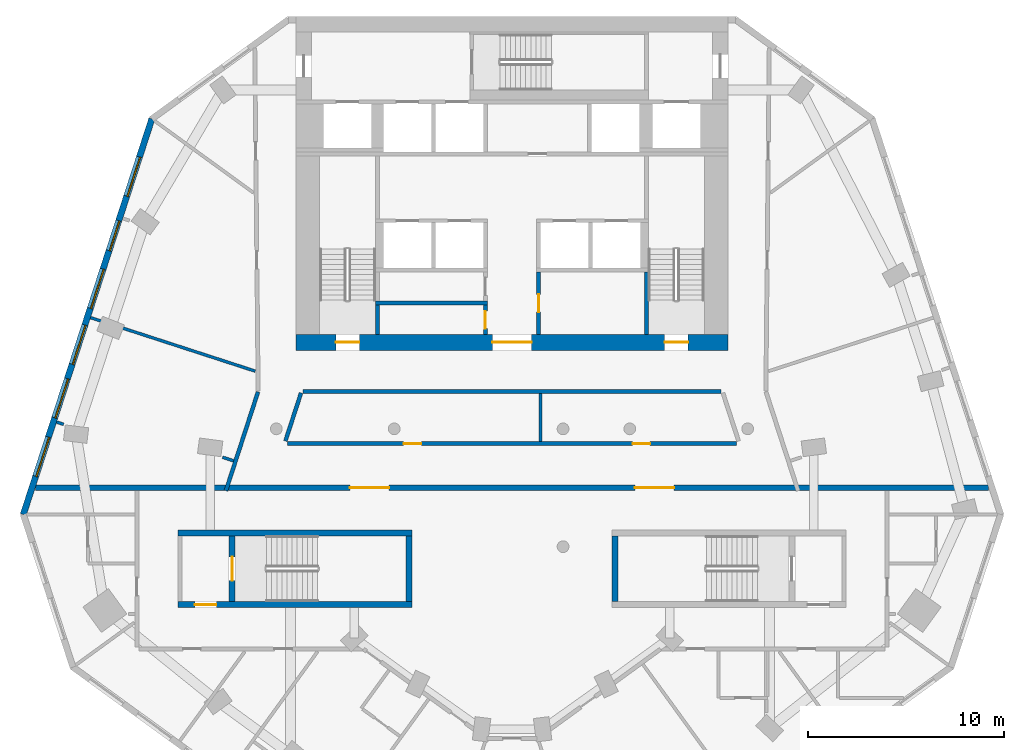
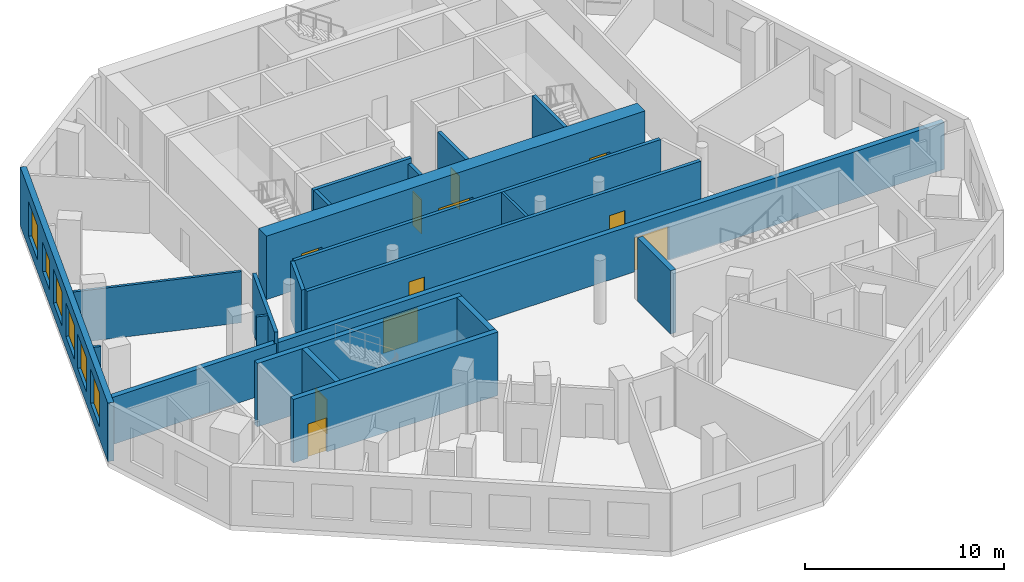
# One storey, part 3 of 9: 21 walls, 11 doors, 6 windows, 17 openings.
"""IFC4 building model written with IfcOpenShell, lengths in metres."""

from ifc_helpers import new_model, si_unit, direction, frame, frame_2d, origin, place, context, subcontext, project, spatial, rectangle, extrude, material, layer, layer_set, type_object, element, fill, save


model = new_model("IFC4")

# Units and contexts
model_context = context("Model", 3, precision=1e-05, world=origin(), true_north=direction((0.0, 1.0)))
body_context = subcontext(model_context, "Body", "Model", "MODEL_VIEW")
ifc_project = project(units=[si_unit("LENGTHUNIT", "METRE"), si_unit("AREAUNIT", "SQUARE_METRE"), si_unit("VOLUMEUNIT", "CUBIC_METRE"), si_unit("PLANEANGLEUNIT", "RADIAN"), si_unit("MASSUNIT", "GRAM", prefix="KILO")], contexts=[model_context])

# Site, building, storey
site_placement = place(None, origin())
site = spatial("IfcSite", under=ifc_project, at=site_placement, CompositionType="ELEMENT")
building_placement = place(site_placement, origin())
building = spatial("IfcBuilding", under=site, at=building_placement, Name="White Candle Pilgrim Tower", CompositionType="ELEMENT")
storey_placement = place(building_placement, frame((0.0, 0.0, 200.39990234375)))
storey = spatial("IfcBuildingStorey", under=building, at=storey_placement, Name="L46", CompositionType="ELEMENT", Elevation=200.39990234375)

# Wall
ifc_material_1 = material(Name="Gypsum board on steel studs", Category="steel")
ifc_layer_1 = layer(ifc_material_1, 0.199951171875)
ifc_layer_set_1 = layer_set([ifc_layer_1], Name="Corridor wall 200 mm EI 45")
wall_type_1 = type_object("IfcWallType", Name="Corridor wall 200 mm EI 45", PredefinedType="PARTITIONING", material=ifc_layer_set_1)
wall_1_placement = place(storey_placement, frame((55.43115234375, 63.85009765625, 0.0), z_axis=(0.0, 0.0, 1.0), x_axis=(0.309009941901, 0.951058807754, 0.0)))
element("IfcWall", 1, at=wall_1_placement, inside=storey, type_object=wall_type_1, Name="WL-L46-P002", PredefinedType="PARTITIONING", context=body_context, shape_type="SweptSolid", body=[
    extrude(rectangle(XDim=5.29345703125, YDim=0.199951171875, at=frame_2d((2.646728515625, 0.0))), origin(), (0.0, 0.0, 1.0), 3.60009765625),
])

# Wall, openings, doors
wall_2_placement = place(storey_placement, frame((58.556640625, 66.25, 0.0), z_axis=(0.0, 0.0, 1.0), x_axis=(1.0, 0.0, 0.0)))
wall_2 = element("IfcWall", 2, at=wall_2_placement, inside=storey, type_object=wall_type_1, Name="WL-L46-P013", PredefinedType="PARTITIONING", context=body_context, shape_type="SweptSolid", body=[
    extrude(rectangle(XDim=22.88671875, YDim=0.199951171875, at=frame_2d((11.443359375, 0.0))), origin(), (0.0, 0.0, 1.0), 3.60009765625),
])
opening_1_placement = place(wall_2_placement, frame((5.927001953125, 0.0, 0.0)))
opening_1 = element("IfcOpeningElement", 3, at=opening_1_placement, cuts=wall_2, Name="Opening T14-117", PredefinedType="OPENING", context=body_context, shape_type="SweptSolid", body=[
    extrude(rectangle(XDim=0.89990234375, YDim=2.10009765625, at=frame_2d((0.449951171875, 1.050048828125))), frame((0.0, 0.10986328125, 0.0), z_axis=(0.0, -1.0, 0.0), x_axis=(1.0, 0.0, 0.0)), (0.0, 0.0, 1.0), 0.219970703125),
])
opening_2_placement = place(wall_2_placement, frame((17.5830078125, 0.0, 0.0)))
opening_2 = element("IfcOpeningElement", 4, at=opening_2_placement, cuts=wall_2, Name="Opening T14-118", PredefinedType="OPENING", context=body_context, shape_type="SweptSolid", body=[
    extrude(rectangle(XDim=0.89990234375, YDim=2.10009765625, at=frame_2d((0.449951171875, 1.050048828125))), frame((0.0, 0.10986328125, 0.0), z_axis=(0.0, -1.0, 0.0), x_axis=(1.0, 0.0, 0.0)), (0.0, 0.0, 1.0), 0.219970703125),
])
ifc_material_2 = material(Name="Steel door leaf", Category="steel")
door_type_1 = type_object("IfcDoorType", Name="Fire door 900 x 2100 EI 30", OperationType="NOTDEFINED", PredefinedType="DOOR", material=ifc_material_2)
door_1_placement = place(opening_1_placement, origin())
door_1 = element("IfcDoor", 5, at=door_1_placement, inside=storey, type_object=door_type_1, Name="Door T14-117", OperationType="SINGLE_SWING_LEFT", OverallHeight=2.10009765625, OverallWidth=0.89990234375, PredefinedType="DOOR", context=body_context, shape_type="SweptSolid", body=[
    extrude(rectangle(XDim=0.89990234375, YDim=2.10009765625, at=frame_2d((0.449951171875, 1.050048828125))), frame((0.0, 0.02490234375, 0.0), z_axis=(0.0, -1.0, 0.0), x_axis=(1.0, 0.0, 0.0)), (0.0, 0.0, 1.0), 0.050048828125),
])
fill(opening_1, door_1)
door_2_placement = place(opening_2_placement, origin())
door_2 = element("IfcDoor", 6, at=door_2_placement, inside=storey, type_object=door_type_1, Name="Door T14-118", OperationType="SINGLE_SWING_RIGHT", OverallHeight=2.10009765625, OverallWidth=0.89990234375, PredefinedType="DOOR", context=body_context, shape_type="SweptSolid", body=[
    extrude(rectangle(XDim=0.89990234375, YDim=2.10009765625, at=frame_2d((0.449951171875, 1.050048828125))), frame((0.0, 0.02490234375, 0.0), z_axis=(0.0, -1.0, 0.0), x_axis=(1.0, 0.0, 0.0)), (0.0, 0.0, 1.0), 0.050048828125),
])
fill(opening_2, door_2)

# Walls
wall_3_placement = place(storey_placement, frame((80.647216796875, 68.89990234375, 0.0), z_axis=(0.0, 0.0, 1.0), x_axis=(-1.0, 0.0, 0.0)))
element("IfcWall", 7, at=wall_3_placement, inside=storey, type_object=wall_type_1, Name="WL-L46-P015", PredefinedType="PARTITIONING", context=body_context, shape_type="SweptSolid", body=[
    extrude(rectangle(XDim=21.29443359375, YDim=0.199951171875, at=frame_2d((10.647216796875, 0.0))), origin(), (0.0, 0.0, 1.0), 3.60009765625),
])
wall_4_placement = place(storey_placement, frame((59.2578125, 68.830810546875, 0.0), z_axis=(0.0, 0.0, 1.0), x_axis=(-0.309053927645, -0.951044515155, 0.0)))
element("IfcWall", 8, at=wall_4_placement, inside=storey, type_object=wall_type_1, Name="WL-L46-P016", PredefinedType="PARTITIONING", context=body_context, shape_type="SweptSolid", body=[
    extrude(rectangle(XDim=2.576171875, YDim=0.199951171875, at=frame_2d((1.2880859375, 0.0))), origin(), (0.0, 0.0, 1.0), 3.60009765625),
])

# Wall, openings, windows
ifc_material_3 = material(Name="Precast concrete C40/50", Category="concrete")
ifc_layer_2 = layer(ifc_material_3, 0.320068359375)
ifc_layer_set_2 = layer_set([ifc_layer_2], Name="Facade wall EW1 precast concrete C40/50 pier wall with timber-lined reveals")
wall_type_2 = type_object("IfcWallType", Name="Facade wall EW1 precast concrete C40/50 pier wall with timber-lined reveals", PredefinedType="SOLIDWALL", material=ifc_layer_set_2)
wall_5_placement = place(storey_placement, frame((51.657958984375, 82.785400390625, 0.0), z_axis=(0.0, 0.0, 1.0), x_axis=(-0.309019087741, -0.951055836117, 0.0)))
wall_5 = element("IfcWall", 9, at=wall_5_placement, inside=storey, type_object=wall_type_2, Name="Facade wall L46 WNW", PredefinedType="SOLIDWALL", context=body_context, shape_type="SweptSolid", body=[
    extrude(rectangle(XDim=21.180419921875, YDim=0.320068359375, at=frame_2d((10.59033203125, 0.0))), origin(), (0.0, 0.0, 1.0), 3.60009765625),
])
opening_3_placement = place(wall_5_placement, frame((2.040283203125, 0.0, 0.75)))
opening_3 = element("IfcOpeningElement", 10, at=opening_3_placement, cuts=wall_5, Name="Opening W3", PredefinedType="OPENING", context=body_context, shape_type="SweptSolid", body=[
    extrude(rectangle(XDim=2.10009765625, YDim=2.10009765625, at=frame_2d((1.050048828125, 1.050048828125))), frame((0.0, 0.169921875, 0.0), z_axis=(0.0, -1.0, 0.0), x_axis=(1.0, 0.0, 0.0)), (0.0, 0.0, 1.0), 0.340087890625),
])
opening_4_placement = place(wall_5_placement, frame((5.452880859375, 0.0, 0.89990234375)))
opening_4 = element("IfcOpeningElement", 11, at=opening_4_placement, cuts=wall_5, Name="Opening W2", PredefinedType="OPENING", context=body_context, shape_type="SweptSolid", body=[
    extrude(rectangle(XDim=1.60009765625, YDim=1.800048828125, at=frame_2d((0.800048828125, 0.89990234375))), frame((0.0, 0.169921875, 0.0), z_axis=(0.0, -1.0, 0.0), x_axis=(1.0, 0.0, 0.0)), (0.0, 0.0, 1.0), 0.340087890625),
])
opening_5_placement = place(wall_5_placement, frame((8.040283203125, 0.0, 0.75)))
opening_5 = element("IfcOpeningElement", 12, at=opening_5_placement, cuts=wall_5, Name="Opening W3", PredefinedType="OPENING", context=body_context, shape_type="SweptSolid", body=[
    extrude(rectangle(XDim=2.10009765625, YDim=2.10009765625, at=frame_2d((1.050048828125, 1.050048828125))), frame((0.0, 0.169921875, 0.0), z_axis=(0.0, -1.0, 0.0), x_axis=(1.0, 0.0, 0.0)), (0.0, 0.0, 1.0), 0.340087890625),
])
opening_6_placement = place(wall_5_placement, frame((11.040283203125, 0.0, 0.75)))
opening_6 = element("IfcOpeningElement", 13, at=opening_6_placement, cuts=wall_5, Name="Opening W3", PredefinedType="OPENING", context=body_context, shape_type="SweptSolid", body=[
    extrude(rectangle(XDim=2.10009765625, YDim=2.10009765625, at=frame_2d((1.050048828125, 1.050048828125))), frame((0.0, 0.169921875, 0.0), z_axis=(0.0, -1.0, 0.0), x_axis=(1.0, 0.0, 0.0)), (0.0, 0.0, 1.0), 0.340087890625),
])
opening_7_placement = place(wall_5_placement, frame((13.908203125, 0.0, 0.75)))
opening_7 = element("IfcOpeningElement", 14, at=opening_7_placement, cuts=wall_5, Name="Opening W3", PredefinedType="OPENING", context=body_context, shape_type="SweptSolid", body=[
    extrude(rectangle(XDim=2.10009765625, YDim=2.10009765625, at=frame_2d((1.050048828125, 1.050048828125))), frame((0.0, 0.169921875, 0.0), z_axis=(0.0, -1.0, 0.0), x_axis=(1.0, 0.0, 0.0)), (0.0, 0.0, 1.0), 0.340087890625),
])
opening_8_placement = place(wall_5_placement, frame((17.040283203125, 0.0, 0.75)))
opening_8 = element("IfcOpeningElement", 15, at=opening_8_placement, cuts=wall_5, Name="Opening W3", PredefinedType="OPENING", context=body_context, shape_type="SweptSolid", body=[
    extrude(rectangle(XDim=2.10009765625, YDim=2.10009765625, at=frame_2d((1.050048828125, 1.050048828125))), frame((0.0, 0.169921875, 0.0), z_axis=(0.0, -1.0, 0.0), x_axis=(1.0, 0.0, 0.0)), (0.0, 0.0, 1.0), 0.340087890625),
])
ifc_material_4 = material(Name="Timber frame with triple glazing", Category="wood")
window_type_1 = type_object("IfcWindowType", Name="Window W2 1600x1800 timber frame triple glazing", PartitioningType="SINGLE_PANEL", PredefinedType="WINDOW", material=ifc_material_4)
window_1_placement = place(opening_4_placement, origin())
window_1 = element("IfcWindow", 16, at=window_1_placement, inside=storey, type_object=window_type_1, Name="Window W2 L46 WNW 2", OverallHeight=1.800048828125, OverallWidth=1.60009765625, PartitioningType="SINGLE_PANEL", PredefinedType="WINDOW", context=body_context, shape_type="SweptSolid", body=[
    extrude(rectangle(XDim=1.60009765625, YDim=1.800048828125, at=frame_2d((0.800048828125, 0.89990234375))), frame((0.0, 0.070068359375, 0.0), z_axis=(0.0, -1.0, 0.0), x_axis=(1.0, 0.0, 0.0)), (0.0, 0.0, 1.0), 0.06005859375),
])
fill(opening_4, window_1)
window_type_2 = type_object("IfcWindowType", Name="Window W3 2100x2100 timber frame triple glazing", PartitioningType="SINGLE_PANEL", PredefinedType="WINDOW", material=ifc_material_4)
window_2_placement = place(opening_3_placement, origin())
window_2 = element("IfcWindow", 17, at=window_2_placement, inside=storey, type_object=window_type_2, Name="Window W3 L46 WNW 1", OverallHeight=2.10009765625, OverallWidth=2.10009765625, PartitioningType="SINGLE_PANEL", PredefinedType="WINDOW", context=body_context, shape_type="SweptSolid", body=[
    extrude(rectangle(XDim=2.10009765625, YDim=2.10009765625, at=frame_2d((1.050048828125, 1.050048828125))), frame((0.0, 0.070068359375, 0.0), z_axis=(0.0, -1.0, 0.0), x_axis=(1.0, 0.0, 0.0)), (0.0, 0.0, 1.0), 0.06005859375),
])
fill(opening_3, window_2)
window_3_placement = place(opening_5_placement, origin())
window_3 = element("IfcWindow", 18, at=window_3_placement, inside=storey, type_object=window_type_2, Name="Window W3 L46 WNW 3", OverallHeight=2.10009765625, OverallWidth=2.10009765625, PartitioningType="SINGLE_PANEL", PredefinedType="WINDOW", context=body_context, shape_type="SweptSolid", body=[
    extrude(rectangle(XDim=2.10009765625, YDim=2.10009765625, at=frame_2d((1.050048828125, 1.050048828125))), frame((0.0, 0.070068359375, 0.0), z_axis=(0.0, -1.0, 0.0), x_axis=(1.0, 0.0, 0.0)), (0.0, 0.0, 1.0), 0.06005859375),
])
fill(opening_5, window_3)
window_4_placement = place(opening_6_placement, origin())
window_4 = element("IfcWindow", 19, at=window_4_placement, inside=storey, type_object=window_type_2, Name="Window W3 L46 WNW 4", OverallHeight=2.10009765625, OverallWidth=2.10009765625, PartitioningType="SINGLE_PANEL", PredefinedType="WINDOW", context=body_context, shape_type="SweptSolid", body=[
    extrude(rectangle(XDim=2.10009765625, YDim=2.10009765625, at=frame_2d((1.050048828125, 1.050048828125))), frame((0.0, 0.070068359375, 0.0), z_axis=(0.0, -1.0, 0.0), x_axis=(1.0, 0.0, 0.0)), (0.0, 0.0, 1.0), 0.06005859375),
])
fill(opening_6, window_4)
window_5_placement = place(opening_7_placement, origin())
window_5 = element("IfcWindow", 20, at=window_5_placement, inside=storey, type_object=window_type_2, Name="Window W3 L46 WNW 5", OverallHeight=2.10009765625, OverallWidth=2.10009765625, PartitioningType="SINGLE_PANEL", PredefinedType="WINDOW", context=body_context, shape_type="SweptSolid", body=[
    extrude(rectangle(XDim=2.10009765625, YDim=2.10009765625, at=frame_2d((1.050048828125, 1.050048828125))), frame((0.0, 0.070068359375, 0.0), z_axis=(0.0, -1.0, 0.0), x_axis=(1.0, 0.0, 0.0)), (0.0, 0.0, 1.0), 0.06005859375),
])
fill(opening_7, window_5)
window_6_placement = place(opening_8_placement, origin())
window_6 = element("IfcWindow", 21, at=window_6_placement, inside=storey, type_object=window_type_2, Name="Window W3 L46 WNW 6", OverallHeight=2.10009765625, OverallWidth=2.10009765625, PartitioningType="SINGLE_PANEL", PredefinedType="WINDOW", context=body_context, shape_type="SweptSolid", body=[
    extrude(rectangle(XDim=2.10009765625, YDim=2.10009765625, at=frame_2d((1.050048828125, 1.050048828125))), frame((0.0, 0.070068359375, 0.0), z_axis=(0.0, -1.0, 0.0), x_axis=(1.0, 0.0, 0.0)), (0.0, 0.0, 1.0), 0.06005859375),
])
fill(opening_8, window_6)

# Wall, openings, doors
ifc_material_5 = material(Name="Aerated concrete block", Category="concrete")
ifc_layer_3 = layer(ifc_material_5, 0.300048828125)
ifc_layer_set_3 = layer_set([ifc_layer_3], Name="Fire wall 300 mm REI 240")
wall_type_3 = type_object("IfcWallType", Name="Fire wall 300 mm REI 240", PredefinedType="PARTITIONING", material=ifc_layer_set_3)
wall_6_placement = place(storey_placement, frame((45.722412109375, 64.0, 0.0), z_axis=(0.0, 0.0, 1.0), x_axis=(1.0, 0.0, 0.0)))
wall_6 = element("IfcWall", 22, at=wall_6_placement, inside=storey, type_object=wall_type_3, Name="WL-L46-P001", PredefinedType="PARTITIONING", context=body_context, shape_type="SweptSolid", body=[
    extrude(rectangle(XDim=48.55517578125, YDim=0.300048828125, at=frame_2d((24.277587890625, 0.0))), origin(), (0.0, 0.0, 1.0), 2.900146484375),
])
opening_9_placement = place(wall_6_placement, frame((16.017578125, 0.0, 0.0)))
opening_9 = element("IfcOpeningElement", 23, at=opening_9_placement, cuts=wall_6, Name="Opening T14-115", PredefinedType="OPENING", context=body_context, shape_type="SweptSolid", body=[
    extrude(rectangle(XDim=2.0, YDim=2.10009765625, at=frame_2d((1.0, 1.050048828125))), frame((0.0, 0.159912109375, 0.0), z_axis=(0.0, -1.0, 0.0), x_axis=(1.0, 0.0, 0.0)), (0.0, 0.0, 1.0), 0.320068359375),
])
opening_10_placement = place(wall_6_placement, frame((30.53759765625, 0.0, 0.0)))
opening_10 = element("IfcOpeningElement", 24, at=opening_10_placement, cuts=wall_6, Name="Opening T14-116", PredefinedType="OPENING", context=body_context, shape_type="SweptSolid", body=[
    extrude(rectangle(XDim=2.0, YDim=2.10009765625, at=frame_2d((1.0, 1.050048828125))), frame((0.0, 0.159912109375, 0.0), z_axis=(0.0, -1.0, 0.0), x_axis=(1.0, 0.0, 0.0)), (0.0, 0.0, 1.0), 0.320068359375),
])
door_type_2 = type_object("IfcDoorType", Name="Fire door 2000 x 2100 EI 60", OperationType="NOTDEFINED", PredefinedType="DOOR", material=ifc_material_2)
door_3_placement = place(opening_9_placement, origin())
door_3 = element("IfcDoor", 25, at=door_3_placement, inside=storey, type_object=door_type_2, Name="Door T14-115", OperationType="DOUBLE_DOOR_SINGLE_SWING", OverallHeight=2.10009765625, OverallWidth=2.0, PredefinedType="DOOR", context=body_context, shape_type="SweptSolid", body=[
    extrude(rectangle(XDim=2.0, YDim=2.10009765625, at=frame_2d((1.0, 1.050048828125))), frame((0.0, 0.02490234375, 0.0), z_axis=(0.0, -1.0, 0.0), x_axis=(1.0, 0.0, 0.0)), (0.0, 0.0, 1.0), 0.050048828125),
])
fill(opening_9, door_3)
door_4_placement = place(opening_10_placement, origin())
door_4 = element("IfcDoor", 26, at=door_4_placement, inside=storey, type_object=door_type_2, Name="Door T14-116", OperationType="DOUBLE_DOOR_SINGLE_SWING", OverallHeight=2.10009765625, OverallWidth=2.0, PredefinedType="DOOR", context=body_context, shape_type="SweptSolid", body=[
    extrude(rectangle(XDim=2.0, YDim=2.10009765625, at=frame_2d((1.0, 1.050048828125))), frame((0.0, 0.02490234375, 0.0), z_axis=(0.0, -1.0, 0.0), x_axis=(1.0, 0.0, 0.0)), (0.0, 0.0, 1.0), 0.050048828125),
])
fill(opening_10, door_4)

# Wall, opening, door
ifc_layer_4 = layer(ifc_material_1, 0.199951171875)
ifc_layer_set_4 = layer_set([ifc_layer_4], Name="Lobby wall 200 mm EI 60")
wall_type_4 = type_object("IfcWallType", Name="Lobby wall 200 mm EI 60", PredefinedType="PARTITIONING", material=ifc_layer_set_4)
wall_7_placement = place(storey_placement, frame((68.64990234375, 71.800048828125, 0.0), z_axis=(0.0, 0.0, 1.0), x_axis=(0.0, 1.0, 0.0)))
wall_7 = element("IfcWall", 27, at=wall_7_placement, inside=storey, type_object=wall_type_4, Name="WL-L46-C14", PredefinedType="PARTITIONING", context=body_context, shape_type="SweptSolid", body=[
    extrude(rectangle(XDim=1.5, YDim=0.199951171875, at=frame_2d((0.75, 0.0))), origin(), (0.0, 0.0, 1.0), 3.60009765625),
])
opening_11_placement = place(wall_7_placement, frame((0.300048828125, 0.0, 0.0)))
opening_11 = element("IfcOpeningElement", 28, at=opening_11_placement, cuts=wall_7, Name="Opening T14-005", PredefinedType="OPENING", context=body_context, shape_type="SweptSolid", body=[
    extrude(rectangle(XDim=0.89990234375, YDim=2.10009765625, at=frame_2d((0.449951171875, 1.050048828125))), frame((0.0, 0.10986328125, 0.0), z_axis=(0.0, -1.0, 0.0), x_axis=(1.0, 0.0, 0.0)), (0.0, 0.0, 1.0), 0.219970703125),
])
door_5_placement = place(opening_11_placement, origin())
door_5 = element("IfcDoor", 29, at=door_5_placement, inside=storey, type_object=door_type_1, Name="Door T14-005", OperationType="SINGLE_SWING_LEFT", OverallHeight=2.10009765625, OverallWidth=0.89990234375, PredefinedType="DOOR", context=body_context, shape_type="SweptSolid", body=[
    extrude(rectangle(XDim=0.89990234375, YDim=2.10009765625, at=frame_2d((0.449951171875, 1.050048828125))), frame((0.0, 0.02490234375, 0.0), z_axis=(0.0, -1.0, 0.0), x_axis=(1.0, 0.0, 0.0)), (0.0, 0.0, 1.0), 0.050048828125),
])
fill(opening_11, door_5)

wall_8_placement = place(storey_placement, frame((71.35009765625, 71.800048828125, 0.0), z_axis=(0.0, 0.0, 1.0), x_axis=(0.0, 1.0, 0.0)))
wall_8 = element("IfcWall", 30, at=wall_8_placement, inside=storey, type_object=wall_type_4, Name="WL-L46-C15", PredefinedType="PARTITIONING", context=body_context, shape_type="SweptSolid", body=[
    extrude(rectangle(XDim=3.199951171875, YDim=0.199951171875, at=frame_2d((1.60009765625, 0.0))), origin(), (0.0, 0.0, 1.0), 3.60009765625),
])
opening_12_placement = place(wall_8_placement, frame((1.14990234375, 0.0, 0.0)))
opening_12 = element("IfcOpeningElement", 31, at=opening_12_placement, cuts=wall_8, Name="Opening T14-007", PredefinedType="OPENING", context=body_context, shape_type="SweptSolid", body=[
    extrude(rectangle(XDim=0.89990234375, YDim=2.10009765625, at=frame_2d((0.449951171875, 1.050048828125))), frame((0.0, 0.10986328125, 0.0), z_axis=(0.0, -1.0, 0.0), x_axis=(1.0, 0.0, 0.0)), (0.0, 0.0, 1.0), 0.219970703125),
])
door_6_placement = place(opening_12_placement, origin())
door_6 = element("IfcDoor", 32, at=door_6_placement, inside=storey, type_object=door_type_1, Name="Door T14-007", OperationType="SINGLE_SWING_LEFT", OverallHeight=2.10009765625, OverallWidth=0.89990234375, PredefinedType="DOOR", context=body_context, shape_type="SweptSolid", body=[
    extrude(rectangle(XDim=0.89990234375, YDim=2.10009765625, at=frame_2d((0.449951171875, 1.050048828125))), frame((0.0, 0.02490234375, 0.0), z_axis=(0.0, -1.0, 0.0), x_axis=(1.0, 0.0, 0.0)), (0.0, 0.0, 1.0), 0.050048828125),
])
fill(opening_12, door_6)

# Walls
ifc_layer_5 = layer(ifc_material_1, 0.14990234375)
ifc_layer_set_5 = layer_set([ifc_layer_5], Name="Partition 150 mm EI 60")
wall_type_5 = type_object("IfcWallType", Name="Partition 150 mm EI 60", PredefinedType="PARTITIONING", material=ifc_layer_set_5)
wall_9_placement = place(storey_placement, frame((48.53759765625, 72.6640625, 0.0), z_axis=(0.0, 0.0, 1.0), x_axis=(0.951054829907, -0.309022184495, 0.0)))
element("IfcWall", 33, at=wall_9_placement, inside=storey, type_object=wall_type_5, Name="WL-L46-P025", PredefinedType="PARTITIONING", context=body_context, shape_type="SweptSolid", body=[
    extrude(rectangle(XDim=8.813720703125, YDim=0.14990234375, at=frame_2d((4.40673828125, 0.0))), origin(), (0.0, 0.0, 1.0), 3.150146484375),
])
wall_10_placement = place(storey_placement, frame((71.4482421875, 66.35009765625, 0.0), z_axis=(0.0, 0.0, 1.0), x_axis=(0.0, 1.0, 0.0)))
element("IfcWall", 34, at=wall_10_placement, inside=storey, type_object=wall_type_5, Name="WL-L46-P043", PredefinedType="PARTITIONING", context=body_context, shape_type="SweptSolid", body=[
    extrude(rectangle(XDim=2.449951171875, YDim=0.14990234375, at=frame_2d((1.22509765625, 0.0))), origin(), (0.0, 0.0, 1.0), 3.60009765625),
])
wall_11_placement = place(storey_placement, frame((47.167724609375, 67.228271484375, 0.0), z_axis=(0.0, 0.0, 1.0), x_axis=(-0.95111492259, 0.308837180446, 0.0)))
element("IfcWall", 35, at=wall_11_placement, inside=storey, type_object=wall_type_5, Name="WL-L46-P052", PredefinedType="PARTITIONING", context=body_context, shape_type="SweptSolid", body=[
    extrude(rectangle(XDim=0.377197265625, YDim=0.14990234375, at=frame_2d((0.1884765625, 0.0))), origin(), (0.0, 0.0, 1.0), 3.60009765625),
])
wall_12_placement = place(storey_placement, frame((55.2568359375, 65.55517578125, 0.0), z_axis=(0.0, 0.0, 1.0), x_axis=(0.9510855144, -0.308927733131, 0.0)))
element("IfcWall", 36, at=wall_12_placement, inside=storey, type_object=wall_type_5, Name="WL-L46-P054", PredefinedType="PARTITIONING", context=body_context, shape_type="SweptSolid", body=[
    extrude(rectangle(XDim=0.5927734375, YDim=0.14990234375, at=frame_2d((0.29638671875, 0.0))), origin(), (0.0, 0.0, 1.0), 3.60009765625),
])
ifc_material_6 = material(Name="Concrete C50/60", Category="concrete")
ifc_layer_6 = layer(ifc_material_6, 0.199951171875)
ifc_layer_set_6 = layer_set([ifc_layer_6], Name="Stair shaft wall 200 mm Concrete C50/60")
wall_type_6 = type_object("IfcWallType", Name="Stair shaft wall 200 mm Concrete C50/60", PredefinedType="SHEAR", material=ifc_layer_set_6)
wall_13_placement = place(storey_placement, frame((63.14990234375, 71.800048828125, 0.0), z_axis=(0.0, 0.0, 1.0), x_axis=(0.0, 1.0, 0.0)))
element("IfcWall", 37, at=wall_13_placement, inside=storey, type_object=wall_type_6, Name="WL-L46-C13", PredefinedType="SHEAR", context=body_context, shape_type="SweptSolid", body=[
    extrude(rectangle(XDim=1.5, YDim=0.199951171875, at=frame_2d((0.75, 0.0))), origin(), (0.0, 0.0, 1.0), 3.900146484375),
])
wall_14_placement = place(storey_placement, frame((76.85009765625, 71.800048828125, 0.0), z_axis=(0.0, 0.0, 1.0), x_axis=(0.0, 1.0, 0.0)))
element("IfcWall", 38, at=wall_14_placement, inside=storey, type_object=wall_type_6, Name="WL-L46-C16", PredefinedType="SHEAR", context=body_context, shape_type="SweptSolid", body=[
    extrude(rectangle(XDim=3.199951171875, YDim=0.199951171875, at=frame_2d((1.60009765625, 0.0))), origin(), (0.0, 0.0, 1.0), 3.900146484375),
])
wall_15_placement = place(storey_placement, frame((63.050048828125, 73.39990234375, 0.0), z_axis=(0.0, 0.0, 1.0), x_axis=(1.0, 0.0, 0.0)))
element("IfcWall", 39, at=wall_15_placement, inside=storey, type_object=wall_type_6, Name="WL-L46-C18", PredefinedType="SHEAR", context=body_context, shape_type="SweptSolid", body=[
    extrude(rectangle(XDim=5.699951171875, YDim=0.199951171875, at=frame_2d((2.85009765625, 0.0))), origin(), (0.0, 0.0, 1.0), 3.900146484375),
])

# Wall, opening, door
ifc_layer_7 = layer(ifc_material_6, 0.300048828125)
ifc_layer_set_7 = layer_set([ifc_layer_7], Name="Stair shaft wall 300 mm Concrete C50/60")
wall_type_7 = type_object("IfcWallType", Name="Stair shaft wall 300 mm Concrete C50/60", PredefinedType="SHEAR", material=ifc_layer_set_7)
wall_16_placement = place(storey_placement, frame((53.0, 58.050048828125, 0.0), z_axis=(0.0, 0.0, 1.0), x_axis=(1.0, 0.0, 0.0)))
wall_16 = element("IfcWall", 40, at=wall_16_placement, inside=storey, type_object=wall_type_7, Name="WL-L46-C01", PredefinedType="SHEAR", context=body_context, shape_type="SweptSolid", body=[
    extrude(rectangle(XDim=11.89990234375, YDim=0.300048828125, at=frame_2d((5.949951171875, 0.0))), origin(), (0.0, 0.0, 1.0), 3.900146484375),
])
opening_13_placement = place(wall_16_placement, frame((0.85009765625, 0.0, 0.0)))
opening_13 = element("IfcOpeningElement", 41, at=opening_13_placement, cuts=wall_16, Name="Opening T14-010", PredefinedType="OPENING", context=body_context, shape_type="SweptSolid", body=[
    extrude(rectangle(XDim=1.10009765625, YDim=2.10009765625, at=frame_2d((0.550048828125, 1.050048828125))), frame((0.0, 0.159912109375, 0.0), z_axis=(0.0, -1.0, 0.0), x_axis=(1.0, 0.0, 0.0)), (0.0, 0.0, 1.0), 0.320068359375),
])
door_type_3 = type_object("IfcDoorType", Name="Fire door 1100 x 2100 EI 60", OperationType="NOTDEFINED", PredefinedType="DOOR", material=ifc_material_2)
door_7_placement = place(opening_13_placement, origin())
door_7 = element("IfcDoor", 42, at=door_7_placement, inside=storey, type_object=door_type_3, Name="Door T14-010", OperationType="SINGLE_SWING_RIGHT", OverallHeight=2.10009765625, OverallWidth=1.10009765625, PredefinedType="DOOR", context=body_context, shape_type="SweptSolid", body=[
    extrude(rectangle(XDim=1.10009765625, YDim=2.10009765625, at=frame_2d((0.550048828125, 1.050048828125))), frame((0.0, 0.02490234375, 0.0), z_axis=(0.0, -1.0, 0.0), x_axis=(1.0, 0.0, 0.0)), (0.0, 0.0, 1.0), 0.050048828125),
])
fill(opening_13, door_7)

wall_17_placement = place(storey_placement, frame((55.75, 58.199951171875, 0.0), z_axis=(0.0, 0.0, 1.0), x_axis=(0.0, 1.0, 0.0)))
wall_17 = element("IfcWall", 43, at=wall_17_placement, inside=storey, type_object=wall_type_7, Name="WL-L46-C04", PredefinedType="SHEAR", context=body_context, shape_type="SweptSolid", body=[
    extrude(rectangle(XDim=3.35009765625, YDim=0.300048828125, at=frame_2d((1.675048828125, 0.0))), origin(), (0.0, 0.0, 1.0), 3.900146484375),
])
opening_14_placement = place(wall_17_placement, frame((1.074951171875, 0.0, 0.0)))
opening_14 = element("IfcOpeningElement", 44, at=opening_14_placement, cuts=wall_17, Name="Opening T14-011", PredefinedType="OPENING", context=body_context, shape_type="SweptSolid", body=[
    extrude(rectangle(XDim=1.199951171875, YDim=2.10009765625, at=frame_2d((0.60009765625, 1.050048828125))), frame((0.0, 0.159912109375, 0.0), z_axis=(0.0, -1.0, 0.0), x_axis=(1.0, 0.0, 0.0)), (0.0, 0.0, 1.0), 0.320068359375),
])
door_type_4 = type_object("IfcDoorType", Name="Fire door 1200 x 2100 EI 60", OperationType="NOTDEFINED", PredefinedType="DOOR", material=ifc_material_2)
door_8_placement = place(opening_14_placement, frame((1.199951171875, 0.0, 0.0), z_axis=(0.0, 0.0, 1.0), x_axis=(-1.0, 0.0, 0.0)))
door_8 = element("IfcDoor", 45, at=door_8_placement, inside=storey, type_object=door_type_4, Name="Door T14-011", OperationType="SINGLE_SWING_RIGHT", OverallHeight=2.10009765625, OverallWidth=1.199951171875, PredefinedType="DOOR", context=body_context, shape_type="SweptSolid", body=[
    extrude(rectangle(XDim=1.199951171875, YDim=2.10009765625, at=frame_2d((0.60009765625, 1.050048828125))), frame((0.0, 0.02490234375, 0.0), z_axis=(0.0, -1.0, 0.0), x_axis=(1.0, 0.0, 0.0)), (0.0, 0.0, 1.0), 0.050048828125),
])
fill(opening_14, door_8)

# Walls
for number, where, z_axis, x_axis, name in (
    (46, (64.75, 58.199951171875, 0.0), (0.0, 0.0, 1.0), (0.0, 1.0, 0.0), "WL-L46-C05"),
    (47, (75.25, 58.199951171875, 0.0), (0.0, 0.0, 1.0), (0.0, 1.0, 0.0), "WL-L46-C06"),
):
    element("IfcWall", number, at=place(storey_placement, frame(where, z_axis=z_axis, x_axis=x_axis)), inside=storey, type_object=wall_type_7, Name=name, PredefinedType="SHEAR", context=body_context, shape_type="SweptSolid", body=[
        extrude(rectangle(XDim=3.35009765625, YDim=0.300048828125, at=frame_2d((1.675048828125, 0.0))), origin(), (0.0, 0.0, 1.0), 3.900146484375),
    ])
wall_18_placement = place(storey_placement, frame((53.0, 61.699951171875, 0.0), z_axis=(0.0, 0.0, 1.0), x_axis=(1.0, 0.0, 0.0)))
element("IfcWall", 48, at=wall_18_placement, inside=storey, type_object=wall_type_7, Name="WL-L46-C09", PredefinedType="SHEAR", context=body_context, shape_type="SweptSolid", body=[
    extrude(rectangle(XDim=11.89990234375, YDim=0.300048828125, at=frame_2d((5.949951171875, 0.0))), origin(), (0.0, 0.0, 1.0), 3.900146484375),
])

# Wall, openings, doors
ifc_layer_8 = layer(ifc_material_6, 0.800048828125)
ifc_layer_set_8 = layer_set([ifc_layer_8], Name="Stair shaft wall 800 mm Concrete C50/60")
wall_type_8 = type_object("IfcWallType", Name="Stair shaft wall 800 mm Concrete C50/60", PredefinedType="SHEAR", material=ifc_layer_set_8)
wall_19_placement = place(storey_placement, frame((59.0, 71.39990234375, 0.0), z_axis=(0.0, 0.0, 1.0), x_axis=(1.0, 0.0, 0.0)))
wall_19 = element("IfcWall", 49, at=wall_19_placement, inside=storey, type_object=wall_type_8, Name="WL-L46-C11", PredefinedType="SHEAR", context=body_context, shape_type="SweptSolid", body=[
    extrude(rectangle(XDim=22.0, YDim=0.800048828125, at=frame_2d((11.0, 0.0))), origin(), (0.0, 0.0, 1.0), 3.900146484375),
])
opening_15_placement = place(wall_19_placement, frame((2.02490234375, 0.0, 0.0)))
opening_15 = element("IfcOpeningElement", 50, at=opening_15_placement, cuts=wall_19, Name="Opening T14-001", PredefinedType="OPENING", context=body_context, shape_type="SweptSolid", body=[
    extrude(rectangle(XDim=1.199951171875, YDim=2.10009765625, at=frame_2d((0.60009765625, 1.050048828125))), frame((0.0, 0.409912109375, 0.0), z_axis=(0.0, -1.0, 0.0), x_axis=(1.0, 0.0, 0.0)), (0.0, 0.0, 1.0), 0.820068359375),
])
opening_16_placement = place(wall_19_placement, frame((18.77490234375, 0.0, 0.0)))
opening_16 = element("IfcOpeningElement", 51, at=opening_16_placement, cuts=wall_19, Name="Opening T14-002", PredefinedType="OPENING", context=body_context, shape_type="SweptSolid", body=[
    extrude(rectangle(XDim=1.199951171875, YDim=2.10009765625, at=frame_2d((0.60009765625, 1.050048828125))), frame((0.0, 0.409912109375, 0.0), z_axis=(0.0, -1.0, 0.0), x_axis=(1.0, 0.0, 0.0)), (0.0, 0.0, 1.0), 0.820068359375),
])
opening_17_placement = place(wall_19_placement, frame((10.0, 0.0, 0.0)))
opening_17 = element("IfcOpeningElement", 52, at=opening_17_placement, cuts=wall_19, Name="Opening T14-004", PredefinedType="OPENING", context=body_context, shape_type="SweptSolid", body=[
    extrude(rectangle(XDim=2.0, YDim=2.10009765625, at=frame_2d((1.0, 1.050048828125))), frame((0.0, 0.409912109375, 0.0), z_axis=(0.0, -1.0, 0.0), x_axis=(1.0, 0.0, 0.0)), (0.0, 0.0, 1.0), 0.820068359375),
])
door_9_placement = place(opening_15_placement, frame((1.199951171875, 0.0, 0.0), z_axis=(0.0, 0.0, 1.0), x_axis=(-1.0, 0.0, 0.0)))
door_9 = element("IfcDoor", 53, at=door_9_placement, inside=storey, type_object=door_type_4, Name="Door T14-001", OperationType="SINGLE_SWING_RIGHT", OverallHeight=2.10009765625, OverallWidth=1.199951171875, PredefinedType="DOOR", context=body_context, shape_type="SweptSolid", body=[
    extrude(rectangle(XDim=1.199951171875, YDim=2.10009765625, at=frame_2d((0.60009765625, 1.050048828125))), frame((0.0, 0.02490234375, 0.0), z_axis=(0.0, -1.0, 0.0), x_axis=(1.0, 0.0, 0.0)), (0.0, 0.0, 1.0), 0.050048828125),
])
fill(opening_15, door_9)
door_10_placement = place(opening_16_placement, frame((1.199951171875, 0.0, 0.0), z_axis=(0.0, 0.0, 1.0), x_axis=(-1.0, 0.0, 0.0)))
door_10 = element("IfcDoor", 54, at=door_10_placement, inside=storey, type_object=door_type_4, Name="Door T14-002", OperationType="SINGLE_SWING_LEFT", OverallHeight=2.10009765625, OverallWidth=1.199951171875, PredefinedType="DOOR", context=body_context, shape_type="SweptSolid", body=[
    extrude(rectangle(XDim=1.199951171875, YDim=2.10009765625, at=frame_2d((0.60009765625, 1.050048828125))), frame((0.0, 0.02490234375, 0.0), z_axis=(0.0, -1.0, 0.0), x_axis=(1.0, 0.0, 0.0)), (0.0, 0.0, 1.0), 0.050048828125),
])
fill(opening_16, door_10)
door_11_placement = place(opening_17_placement, frame((2.0, 0.0, 0.0), z_axis=(0.0, 0.0, 1.0), x_axis=(-1.0, 0.0, 0.0)))
door_11 = element("IfcDoor", 55, at=door_11_placement, inside=storey, type_object=door_type_2, Name="Door T14-004", OperationType="DOUBLE_DOOR_SINGLE_SWING", OverallHeight=2.10009765625, OverallWidth=2.0, PredefinedType="DOOR", context=body_context, shape_type="SweptSolid", body=[
    extrude(rectangle(XDim=2.0, YDim=2.10009765625, at=frame_2d((1.0, 1.050048828125))), frame((0.0, 0.02490234375, 0.0), z_axis=(0.0, -1.0, 0.0), x_axis=(1.0, 0.0, 0.0)), (0.0, 0.0, 1.0), 0.050048828125),
])
fill(opening_17, door_11)

save(model, "model.ifc")
